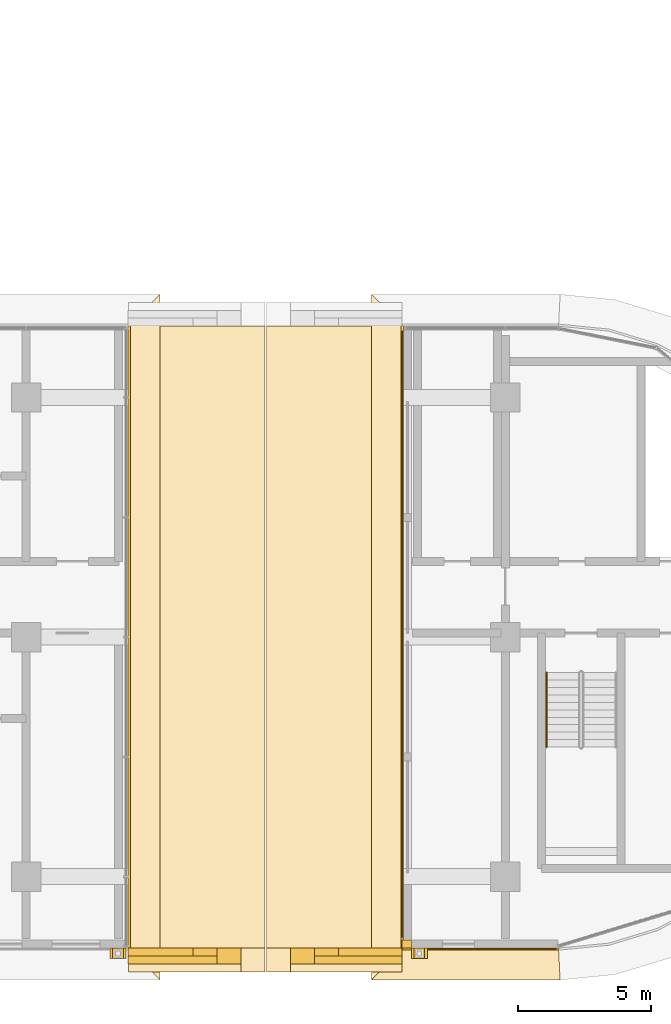
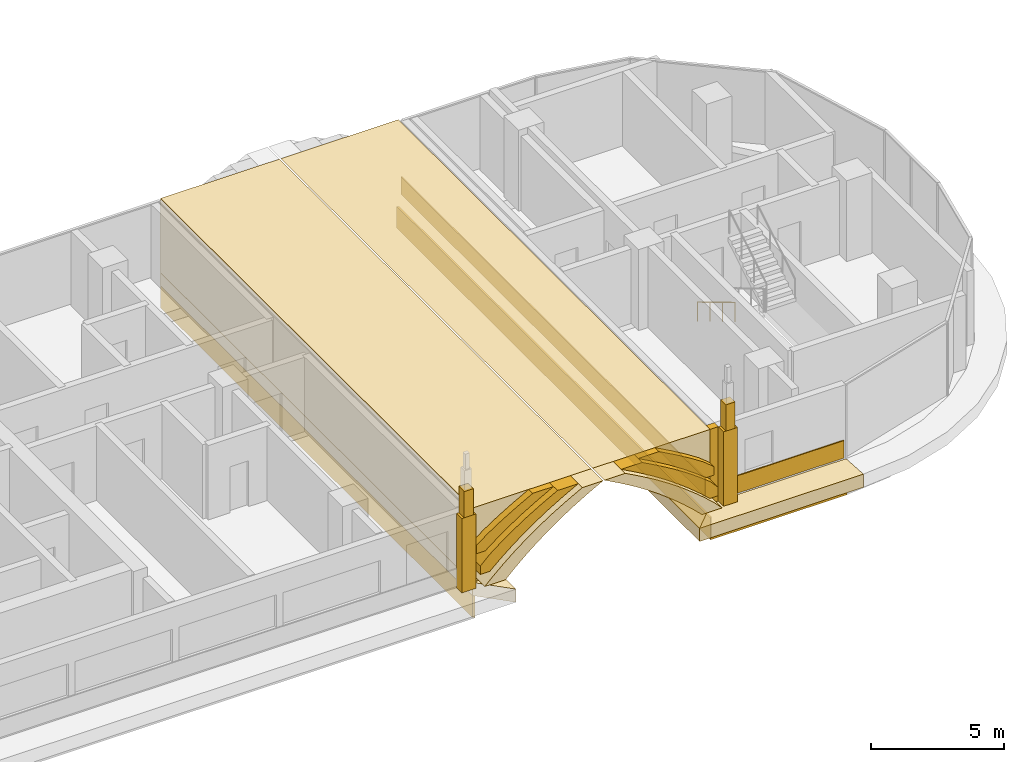
# One storey, part 19 of 23: 21 coverings, 1 railing.
"""IFC4 building model written with IfcOpenShell, lengths in metres."""

import ifcopenshell
import ifcopenshell.guid

model = None  # the IFC model being written
_history = None  # IfcOwnerHistory: only IFC2X3 demands one
_inside = {}  # id of a spatial element -> (the spatial element, [elements in it])
_under = {}  # id of a project, library or spatial element -> (it, [spatial elements below it])
_declared = {}  # id of a project -> (the project, [libraries it declares])
_typed = {}  # id of a type object -> (the type object, [elements of that type])
_made_of = {}  # id of a material, layer set ... -> (it, [elements and type objects made of it])


def new_model(schema):
    """Start an empty IFC model of exactly this schema.

    Asked for "IFC4X3", IfcOpenShell would pick the latest addendum, in which some entities
    have other attributes; the version numbers below select the first issue.
    IFC2X3 requires an IfcOwnerHistory on every rooted entity: one is made here for all.
    """
    global model, _history
    if schema == "IFC4X3":
        model = ifcopenshell.file(schema_version=(4, 3, 0, 0))
    else:
        model = ifcopenshell.file(schema=schema)
    _inside.clear()
    _under.clear()
    _declared.clear()
    _typed.clear()
    _made_of.clear()
    _history = None
    if model.schema == "IFC2X3":
        org = make("IfcOrganization", Name="unknown")
        user = make(
            "IfcPersonAndOrganization",
            ThePerson=make("IfcPerson", FamilyName="unknown"),
            TheOrganization=org,
        )
        app = make(
            "IfcApplication",
            ApplicationDeveloper=org,
            Version="unknown",
            ApplicationFullName="unknown",
            ApplicationIdentifier="unknown",
        )
        _history = make(
            "IfcOwnerHistory",
            OwningUser=user,
            OwningApplication=app,
            ChangeAction="ADDED",
            CreationDate=0,
        )
    return model


def make(cls, **values):
    """One entity of the class cls with the attributes given. An attribute that is None is left unset."""
    return model.create_entity(
        cls, **{name: value for name, value in values.items() if value is not None}
    )


def rooted(cls, **values):
    """An entity with a GlobalId (a new one), such as an element, a storey or a relation."""
    return make(cls, GlobalId=ifcopenshell.guid.new(), OwnerHistory=_history, **values)


def si_unit(unit_type, name, prefix=None):
    """IfcSIUnit, for example si_unit("LENGTHUNIT", "METRE", prefix="MILLI")."""
    return make("IfcSIUnit", UnitType=unit_type, Prefix=prefix, Name=name)


def assignment(units):
    """IfcUnitAssignment: the units of a project."""
    return None if units is None else make("IfcUnitAssignment", Units=units)


def point(xyz):
    """IfcCartesianPoint."""
    return None if xyz is None else make("IfcCartesianPoint", Coordinates=xyz)


def direction(xyz):
    """IfcDirection."""
    return None if xyz is None else make("IfcDirection", DirectionRatios=xyz)


def frame(location, z_axis=None, x_axis=None):
    """IfcAxis2Placement3D, a coordinate frame: its origin and axes. An axis left out is left unset."""
    return make(
        "IfcAxis2Placement3D",
        Location=point(location),
        Axis=direction(z_axis),
        RefDirection=direction(x_axis),
    )


def frame_2d(location, x_axis=None):
    """IfcAxis2Placement2D, a coordinate frame in the plane: its origin and x axis."""
    return make(
        "IfcAxis2Placement2D", Location=point(location), RefDirection=direction(x_axis)
    )


def origin():
    """The frame at (0, 0, 0) with its axes left unset."""
    return frame((0.0, 0.0, 0.0))


def origin_2d():
    """The frame at (0, 0) in the plane with its x axis left unset."""
    return frame_2d((0.0, 0.0))


def place(relative_to, where):
    """IfcLocalPlacement: puts the frame where relative to a parent placement (None: the world)."""
    return make(
        "IfcLocalPlacement", PlacementRelTo=relative_to, RelativePlacement=where
    )


def context(
    kind, dimensions, precision=None, world=None, true_north=None, identifier=None
):
    """IfcGeometricRepresentationContext, for example the 3D "Model" context."""
    return make(
        "IfcGeometricRepresentationContext",
        ContextIdentifier=identifier,
        ContextType=kind,
        CoordinateSpaceDimension=dimensions,
        Precision=precision,
        WorldCoordinateSystem=world,
        TrueNorth=true_north,
    )


def subcontext(parent, identifier, kind, view, scale=None):
    """IfcGeometricRepresentationSubContext, for example "Body" below "Model"."""
    return make(
        "IfcGeometricRepresentationSubContext",
        ContextIdentifier=identifier,
        ContextType=kind,
        ParentContext=parent,
        TargetScale=scale,
        TargetView=view,
    )


def project(units=None, contexts=None):
    """IfcProject with its units and contexts."""
    return rooted(
        "IfcProject",
        Name="project",
        RepresentationContexts=contexts,
        UnitsInContext=assignment(units),
    )


def spatial(cls, under=None, at=None, **own):
    """A site, building, storey or space (cls), placed at a placement, below another one or the project."""
    s = rooted(cls, ObjectPlacement=at, **own)
    if under is not None:
        _under.setdefault(under.id(), (under, []))[1].append(s)
    return s


def polyline(points):
    """IfcPolyline through the points."""
    return make("IfcPolyline", Points=[point(p) for p in points])


def profile(cls, at=None, kind="AREA", **sizes):
    """A parametric profile (cls). Its sizes go by their IFC names, for example OverallWidth=200.0."""
    return make(cls, ProfileType=kind, Position=at, **sizes)


def rectangle(**sizes):
    """IfcRectangleProfileDef."""
    return profile("IfcRectangleProfileDef", **sizes)


def circle(**sizes):
    """IfcCircleProfileDef."""
    return profile("IfcCircleProfileDef", **sizes)


def outline(outer, holes=None, kind="AREA"):
    """IfcArbitraryClosedProfileDef: a profile drawn as a closed curve; with holes, ...WithVoids."""
    if holes is None:
        return make("IfcArbitraryClosedProfileDef", ProfileType=kind, OuterCurve=outer)
    return make(
        "IfcArbitraryProfileDefWithVoids",
        ProfileType=kind,
        OuterCurve=outer,
        InnerCurves=holes,
    )


def extrude(swept, where, along, depth):
    """IfcExtrudedAreaSolid: the profile swept, set in the frame where, extruded along a direction by depth."""
    return make(
        "IfcExtrudedAreaSolid",
        SweptArea=swept,
        Position=where,
        ExtrudedDirection=direction(along),
        Depth=depth,
    )


def shape(context_of_items, identifier, shape_type, items):
    """IfcShapeRepresentation: the items that make up one representation, for example the "Body"."""
    return make(
        "IfcShapeRepresentation",
        ContextOfItems=context_of_items,
        RepresentationIdentifier=identifier,
        RepresentationType=shape_type,
        Items=items,
    )


def material(Name=None, Category=None):
    """IfcMaterial."""
    return make("IfcMaterial", Name=Name, Category=Category)


def layer(
    of_material, thickness, ventilated=None, Name=None, Category=None, Priority=None
):
    """IfcMaterialLayer: one layer of a wall or slab, of a material (None: an air gap)."""
    return make(
        "IfcMaterialLayer",
        Material=of_material,
        LayerThickness=thickness,
        IsVentilated=ventilated,
        Name=Name,
        Category=Category,
        Priority=Priority,
    )


def layer_set(layers, Name=None):
    """IfcMaterialLayerSet."""
    return make("IfcMaterialLayerSet", MaterialLayers=layers, LayerSetName=Name)


def made_of(thing, what):
    """Note that an element or type object is made of a material, layer set ...; save() writes the relation."""
    if what is not None:
        _made_of.setdefault(what.id(), (what, []))[1].append(thing)
    return thing


def type_object(cls, material=None, **own):
    """A type object (cls), such as IfcWallType, which elements share."""
    return made_of(rooted(cls, **own), material)


def element(
    cls,
    number,
    at=None,
    inside=None,
    cuts=None,
    type_object=None,
    material=None,
    context=None,
    identifier="Body",
    shape_type=None,
    held_by="IfcProductDefinitionShape",
    body=None,
    shapes=None,
    **own,
):
    """One element of the class cls, such as IfcWall. Its Tag is "e" and its number.

    at: its placement. inside: the storey or other place that contains it. cuts: it is an
    opening in that element (IfcRelVoidsElement). A single representation is given by context,
    identifier, shape_type and body (its items); several are given by shapes. held_by: the class
    of the entity that holds the representations. save() writes the other relations.
    """
    e = rooted(cls, Tag="e%d" % number, ObjectPlacement=at, **own)
    if body is not None:
        shapes = [shape(context, identifier, shape_type, body)]
    if shapes is not None:
        e.Representation = make(held_by, Representations=shapes)
    if inside is not None:
        _inside.setdefault(inside.id(), (inside, []))[1].append(e)
    if cuts is not None:
        rooted(
            "IfcRelVoidsElement", RelatingBuildingElement=cuts, RelatedOpeningElement=e
        )
    if type_object is not None:
        _typed.setdefault(type_object.id(), (type_object, []))[1].append(e)
    return made_of(e, material)


def aggregate(whole, parts):
    """IfcRelAggregates: a whole, such as a stair, and the parts it consists of."""
    return rooted("IfcRelAggregates", RelatingObject=whole, RelatedObjects=parts)


def save(model, path):
    """Write the relations noted so far, then the file.

    IfcRelAggregates (storeys below a building ...), IfcRelContainedInSpatialStructure (elements
    in a storey), IfcRelDefinesByType, IfcRelAssociatesMaterial and IfcRelDeclares: one each for
    every whole, place, type object, material and project.
    """
    for whole, parts in _under.values():
        aggregate(whole, parts)
    for where, things in _inside.values():
        rooted(
            "IfcRelContainedInSpatialStructure",
            RelatedElements=things,
            RelatingStructure=where,
        )
    for kind, things in _typed.values():
        rooted("IfcRelDefinesByType", RelatedObjects=things, RelatingType=kind)
    for what, things in _made_of.values():
        rooted("IfcRelAssociatesMaterial", RelatedObjects=things, RelatingMaterial=what)
    for by, libraries in _declared.values():
        rooted("IfcRelDeclares", RelatingContext=by, RelatedDefinitions=libraries)
    model.write(path)


model = new_model("IFC4")

# Units and contexts
model_context = context("Model", 3, precision=1e-05, world=origin(), true_north=direction((0.0, 1.0)))
body_context = subcontext(model_context, "Body", "Model", "MODEL_VIEW")
ifc_project = project(units=[si_unit("LENGTHUNIT", "METRE"), si_unit("AREAUNIT", "SQUARE_METRE"), si_unit("VOLUMEUNIT", "CUBIC_METRE"), si_unit("PLANEANGLEUNIT", "RADIAN"), si_unit("MASSUNIT", "GRAM", prefix="KILO")], contexts=[model_context])

# Site, building, storey
site_placement = place(None, origin())
site = spatial("IfcSite", under=ifc_project, at=site_placement, CompositionType="ELEMENT")
building_placement = place(site_placement, origin())
building = spatial("IfcBuilding", under=site, at=building_placement, Name="Ogive Portal Towers", CompositionType="ELEMENT")
storey_placement = place(building_placement, frame((0.0, 0.0, 179.199951171875)))
storey = spatial("IfcBuildingStorey", under=building, at=storey_placement, Name="L44", CompositionType="ELEMENT", Elevation=179.199951171875)

# Railing
ifc_material_1 = material(Name="Stainless steel handrail", Category="steel")
railing_type = type_object("IfcRailingType", Name="INT-HANDRAIL", PredefinedType="HANDRAIL", material=ifc_material_1)
railing_placement = place(storey_placement, frame((87.050048828125, 29.169921875, 0.168212890625)))
element("IfcRailing", 1, at=railing_placement, inside=storey, type_object=railing_type, Name="L44 ST-A4 stair handrail 1", PredefinedType="HANDRAIL", context=body_context, shape_type="SweptSolid", body=[
    extrude(circle(Radius=0.02392578125, at=origin_2d()), frame((0.0, 0.0, 0.8759765625), z_axis=(0.0, -0.857222391501, 0.514946377315), x_axis=(1.0, 0.0, 0.0)), (0.0, 0.0, 1.0), 3.26611328125),
    extrude(circle(Radius=0.02099609375, at=origin_2d()), origin(), (0.0, 0.0, 1.0), 0.851806640625),
    extrude(circle(Radius=0.02099609375, at=origin_2d()), frame((0.0, -0.933349609375, 0.560546875)), (0.0, 0.0, 1.0), 0.851806640625),
    extrude(circle(Radius=0.02099609375, at=origin_2d()), frame((0.0, -1.866455078125, 1.121337890625)), (0.0, 0.0, 1.0), 0.851806640625),
    extrude(circle(Radius=0.02099609375, at=origin_2d()), frame((0.0, -2.7998046875, 1.681884765625)), (0.0, 0.0, 1.0), 0.851806640625),
])

# Coverings
ifc_material_2 = material(Name="Limestone cladding on lightweight block wall", Category="masonry")
ifc_layer_1 = layer(ifc_material_2, 0.300048828125)
ifc_layer_set_1 = layer_set([ifc_layer_1], Name="OGIVE SOFFIT STONE")
covering_type_1 = type_object("IfcCoveringType", Name="OGIVE SOFFIT STONE", PredefinedType="CLADDING", material=ifc_layer_set_1)
covering_1_placement = place(storey_placement, frame((71.330078125, 18.820068359375, 0.0), z_axis=(0.0, -1.0, 0.0), x_axis=(1.0, 0.0, 0.0)))
element("IfcCovering", 2, at=covering_1_placement, inside=storey, type_object=covering_type_1, Name="OGIVE SOFFIT W L44", PredefinedType="CLADDING", context=body_context, shape_type="SweptSolid", body=[
    extrude(outline(polyline([(0.0, 0.0), (0.57763671875, 0.0), (0.993408203125, 0.425048828125), (1.44140625, 0.85009765625), (1.926025390625, 1.275146484375), (2.45263671875, 1.699951171875), (3.02783203125, 2.125), (3.662109375, 2.550048828125), (4.368896484375, 2.97509765625), (5.139892578125, 3.400146484375), (0.0, 3.400146484375), (0.0, 0.0)])), origin(), (0.0, 0.0, -1.0), 23.360107421875),
])
covering_2_placement = place(storey_placement, frame((81.6201171875, 42.179931640625, 0.0), z_axis=(0.0, 1.0, 0.0), x_axis=(-1.0, 0.0, 0.0)))
element("IfcCovering", 3, at=covering_2_placement, inside=storey, type_object=covering_type_1, Name="OGIVE SOFFIT E L44", PredefinedType="CLADDING", context=body_context, shape_type="SweptSolid", body=[
    extrude(outline(polyline([(0.0, 0.0), (0.52783203125, 0.0), (0.943603515625, 0.425048828125), (1.3916015625, 0.85009765625), (1.876220703125, 1.275146484375), (2.40283203125, 1.699951171875), (2.97802734375, 2.125), (3.6123046875, 2.550048828125), (4.319091796875, 2.97509765625), (5.090087890625, 3.400146484375), (0.0, 3.400146484375), (0.0, 0.0)])), origin(), (0.0, 0.0, -1.0), 23.360107421875),
])
covering_3_placement = place(storey_placement, frame((81.794921875, 18.969970703125, 0.0), z_axis=(0.0, 0.0, 1.0), x_axis=(1.0, 0.0, 0.0)))
element("IfcCovering", 4, at=covering_3_placement, inside=storey, type_object=covering_type_1, Name="OGIVE SOFFIT RETURN E L44", PredefinedType="CLADDING", context=body_context, shape_type="SweptSolid", body=[
    extrude(rectangle(XDim=0.35009765625, YDim=0.300048828125, at=origin_2d()), origin(), (0.0, 0.0, 1.0), 3.39990234375),
])
ifc_layer_2 = layer(ifc_material_2, 0.39990234375)
ifc_layer_set_2 = layer_set([ifc_layer_2], Name="PINNACLE SHAFT STONE")
covering_type_2 = type_object("IfcCoveringType", Name="PINNACLE SHAFT STONE", PredefinedType="CLADDING", material=ifc_layer_set_2)
for number, where, z_axis, x_axis, name in (
    (5, (70.949951171875, 18.6201171875, 3.39990234375), (0.0, 0.0, 1.0), (1.0, 0.0, 0.0), "PINNACLE"),
    (6, (82.27001953125, 18.6201171875, 3.39990234375), (0.0, 0.0, 1.0), (1.0, 0.0, 0.0), "PINNACLE"),
):
    element("IfcCovering", number, at=place(storey_placement, frame(where, z_axis=z_axis, x_axis=x_axis)), inside=storey, type_object=covering_type_2, Name=name, PredefinedType="CLADDING", context=body_context, shape_type="SweptSolid", body=[
        extrude(rectangle(XDim=0.39990234375, YDim=0.39990234375, at=origin_2d()), origin(), (0.0, 0.0, 1.0), 1.199951171875),
    ])
ifc_layer_3 = layer(ifc_material_2, 0.60009765625)
ifc_layer_set_3 = layer_set([ifc_layer_3], Name="PORTAL ARCHIVOLT STONE")
covering_type_3 = type_object("IfcCoveringType", Name="PORTAL ARCHIVOLT STONE", PredefinedType="CLADDING", material=ifc_layer_set_3)
covering_4_placement = place(storey_placement, frame((80.752197265625, 18.820068359375, 0.35009765625), z_axis=(0.0, 1.0, 0.0), x_axis=(-0.719669649344, 0.0, 0.694316639447)))
element("IfcCovering", 7, at=covering_4_placement, inside=storey, type_object=covering_type_3, Name="PORTAL ARCHIVOLT E L44", PredefinedType="CLADDING", context=body_context, shape_type="SweptSolid", body=[
    extrude(outline(polyline([(0.0, 0.0), (0.5488900797889359, 0.0), (1.1183309398423564, -0.01948756360511228), (1.7106190673334216, -0.06135675548584385), (2.3292560948224543, -0.1283073706156721), (2.978289325762776, -0.22458337115184301), (3.6631716683915827, -0.355784806438022), (4.392500072610742, -0.5295272874984616), (5.156265794034831, -0.7364939046262022), (4.5086333898645945, -0.11167673348297624), (3.744867668440506, 0.0952898836447642), (3.015539264221346, 0.26903236470520353), (2.330481220994555, 0.4004033108896853), (1.6814479900542336, 0.496679311425856), (1.062810962565201, 0.5636299265556843), (0.47069853567212006, 0.6053296075381134), (-0.09874232438130054, 0.6248171711432257), (-0.6246156258342893, 0.6026112434655907), (0.0, 0.0)])), origin(), (0.0, 0.0, -1.0), 0.89990234375),
])
covering_5_placement = place(storey_placement, frame((81.257080078125, 18.820068359375, 0.731201171875), z_axis=(0.0, 1.0, 0.0), x_axis=(-0.742995788858, 0.0, 0.669296091232)))
element("IfcCovering", 8, at=covering_5_placement, inside=storey, type_object=covering_type_3, Name="PORTAL ARCHIVOLT E L44", PredefinedType="CLADDING", context=body_context, shape_type="SweptSolid", body=[
    extrude(outline(polyline([(0.0, 0.0), (0.5697742168909037, 0.0), (1.1629664407301357, -0.021423703039319175), (1.7835313853750274, -0.067176365525899), (2.4354777439536335, -0.1411976373345445), (3.12462816415665, -0.24906119200029453), (3.859472246248015, -0.39775734508167915), (4.629869837767171, -0.5784803619036694), (3.961064790520907, 0.023984161624972744), (3.1908485944580143, 0.20454377608093965), (2.4560045123666496, 0.35323992916232405), (1.766854092163633, 0.4611034838280743), (1.114907733585027, 0.5351247556367197), (0.49434278894013517, 0.5808774181232994), (-0.014500547736223668, 0.5263190209616915), (-0.26973504346492966, 0.24297931827694355), (0.0, 0.0)])), origin(), (0.0, 0.0, -1.0), 0.60009765625),
])
covering_6_placement = place(storey_placement, frame((81.278564453125, 18.820068359375, 1.49365234375), z_axis=(0.0, 1.0, 0.0), x_axis=(-0.790196535031, 0.0, 0.612853519224)))
element("IfcCovering", 9, at=covering_6_placement, inside=storey, type_object=covering_type_3, Name="PORTAL ARCHIVOLT E L44", PredefinedType="CLADDING", context=body_context, shape_type="SweptSolid", body=[
    extrude(outline(polyline([(0.0, 0.0), (0.6222492721142617, 0.0), (1.2778735443653138, -0.02588468233051955), (1.973089523817801, -0.08278450662765091), (2.7168778137712413, -0.1770466445942831), (3.4982853235320466, -0.300485158598206), (2.7871856096348844, 0.2510231597271999), (2.005585180798144, 0.3746112961723397), (1.2617968908447037, 0.46887343413897187), (0.5665809113922163, 0.5257732584361032), (-0.03618353405258978, 0.5106613918731987), (-0.2698937872333505, 0.2093217952624099), (0.0, 0.0)])), origin(), (0.0, 0.0, -1.0), 0.300048828125),
])
covering_7_placement = place(storey_placement, frame((72.247802734375, 17.919921875, 0.35009765625), z_axis=(0.0, -1.0, 0.0), x_axis=(0.719669649344, 0.0, 0.694316639447)))
element("IfcCovering", 10, at=covering_7_placement, inside=storey, type_object=covering_type_3, Name="PORTAL ARCHIVOLT W L44", PredefinedType="CLADDING", context=body_context, shape_type="SweptSolid", body=[
    extrude(outline(polyline([(0.0, 0.0), (0.5488900797889359, 0.0), (1.1183309398423564, -0.01948756360511228), (1.7106190673334216, -0.06135675548584385), (2.3292560948224543, -0.1283073706156721), (2.978289325762776, -0.22458337115184301), (3.6631716683915827, -0.355784806438022), (4.392500072610742, -0.5295272874984616), (5.156265794034831, -0.7364939046262022), (4.5086333898645945, -0.11167673348297624), (3.744867668440506, 0.0952898836447642), (3.015539264221346, 0.26903236470520353), (2.330481220994555, 0.4004033108896853), (1.6814479900542336, 0.496679311425856), (1.062810962565201, 0.5636299265556843), (0.47069853567212006, 0.6053296075381134), (-0.09874232438130054, 0.6248171711432257), (-0.6476324041702364, 0.6248171711432257), (0.0, 0.0)])), origin(), (0.0, 0.0, -1.0), 0.89990234375),
])
covering_8_placement = place(storey_placement, frame((71.742919921875, 18.219970703125, 0.731201171875), z_axis=(0.0, -1.0, 0.0), x_axis=(0.742995788858, 0.0, 0.669296091232)))
element("IfcCovering", 11, at=covering_8_placement, inside=storey, type_object=covering_type_3, Name="PORTAL ARCHIVOLT W L44", PredefinedType="CLADDING", context=body_context, shape_type="SweptSolid", body=[
    extrude(outline(polyline([(0.0, 0.0), (0.5697742168909037, 0.0), (1.1629664407301357, -0.021423703039319175), (1.7835313853750274, -0.067176365525899), (2.4354777439536335, -0.1411976373345445), (3.12462816415665, -0.24906119200029453), (3.859472246248015, -0.39775734508167915), (4.629869837767171, -0.5784803619036694), (3.961064790520907, 0.023984161624972744), (3.1908485944580143, 0.20454377608093965), (2.4560045123666496, 0.35323992916232405), (1.766854092163633, 0.4611034838280743), (1.114907733585027, 0.5351247556367197), (0.49434278894013517, 0.5808774181232994), (-0.05150522081412928, 0.5596531036304853), (-0.3067397165428353, 0.2763134009457374), (0.0, 0.0)])), origin(), (0.0, 0.0, -1.0), 0.60009765625),
])
covering_9_placement = place(storey_placement, frame((71.721435546875, 18.52001953125, 1.49365234375), z_axis=(0.0, -1.0, 0.0), x_axis=(0.790196535031, 0.0, 0.612853519224)))
element("IfcCovering", 12, at=covering_9_placement, inside=storey, type_object=covering_type_3, Name="PORTAL ARCHIVOLT W L44", PredefinedType="CLADDING", context=body_context, shape_type="SweptSolid", body=[
    extrude(outline(polyline([(0.0, 0.0), (0.6222492721142617, 0.0), (1.2778735443653138, -0.02588468233051955), (1.973089523817801, -0.08278450662765091), (2.7168778137712413, -0.1770466445942831), (3.4982853235320466, -0.300485158598206), (2.7871856096348844, 0.2510231597271999), (2.005585180798144, 0.3746112961723397), (1.2617968908447037, 0.46887343413897187), (0.5665809113922163, 0.5257732584361032), (-0.07553902554337144, 0.5411843698814415), (-0.30924927872413216, 0.23984477327065265), (0.0, 0.0)])), origin(), (0.0, 0.0, -1.0), 0.300048828125),
])
ifc_layer_4 = layer(ifc_material_2, 0.39990234375)
ifc_layer_set_4 = layer_set([ifc_layer_4], Name="PORTAL BUTTRESS STONE")
covering_type_4 = type_object("IfcCoveringType", Name="PORTAL BUTTRESS STONE", PredefinedType="CLADDING", material=ifc_layer_set_4)
for number, where, z_axis, x_axis, name in (
    (13, (70.949951171875, 18.6201171875, 0.0), (0.0, 0.0, 1.0), (1.0, 0.0, 0.0), "PORTAL BUTTRESS"),
    (14, (82.27001953125, 18.6201171875, 0.0), (0.0, 0.0, 1.0), (1.0, 0.0, 0.0), "PORTAL BUTTRESS"),
):
    element("IfcCovering", number, at=place(storey_placement, frame(where, z_axis=z_axis, x_axis=x_axis)), inside=storey, type_object=covering_type_4, Name=name, PredefinedType="CLADDING", context=body_context, shape_type="SweptSolid", body=[
        extrude(rectangle(XDim=0.60009765625, YDim=0.39990234375, at=origin_2d()), origin(), (0.0, 0.0, 1.0), 3.39990234375),
    ])
ifc_layer_5 = layer(ifc_material_2, 0.050048828125)
ifc_layer_set_5 = layer_set([ifc_layer_5], Name="SCREEN PERFORATED STONE")
covering_type_5 = type_object("IfcCoveringType", Name="SCREEN PERFORATED STONE", PredefinedType="CLADDING", material=ifc_layer_set_5)
covering_10_placement = place(storey_placement, frame((81.64501953125, 30.610107421875, 0.10009765625), z_axis=(0.0, 0.0, 1.0), x_axis=(0.0, -1.0, 0.0)))
element("IfcCovering", 15, at=covering_10_placement, inside=storey, type_object=covering_type_5, Name="Tracery screen", PredefinedType="CLADDING", context=body_context, shape_type="SweptSolid", body=[
    extrude(rectangle(XDim=22.780029296875, YDim=0.050048828125, at=origin_2d()), origin(), (0.0, 0.0, 1.0), 0.800048828125),
])
covering_11_placement = place(storey_placement, frame((84.72900390625, 18.794921875, 0.10009765625), z_axis=(0.0, 0.0, 1.0), x_axis=(1.0, 0.0, 0.0)))
element("IfcCovering", 16, at=covering_11_placement, inside=storey, type_object=covering_type_5, Name="Tracery screen", PredefinedType="CLADDING", context=body_context, shape_type="SweptSolid", body=[
    extrude(rectangle(XDim=5.318115234375, YDim=0.050048828125, at=origin_2d()), origin(), (0.0, 0.0, 1.0), 0.800048828125),
])
ifc_layer_6 = layer(ifc_material_2, 0.080078125)
ifc_layer_set_6 = layer_set([ifc_layer_6], Name="STONE SPANDREL 80")
covering_type_6 = type_object("IfcCoveringType", Name="STONE SPANDREL 80", PredefinedType="CLADDING", material=ifc_layer_set_6)
covering_12_placement = place(storey_placement, frame((0.0, 0.0, -1.599853515625)))
element("IfcCovering", 17, at=covering_12_placement, inside=storey, type_object=covering_type_6, Name="Stone spandrel A1-F06", PredefinedType="CLADDING", context=body_context, shape_type="SweptSolid", body=[
    extrude(outline(polyline([(71.330078125, 18.820068359375), (71.330078125, 42.179931640625), (71.409912109375, 42.260009765625), (71.409912109375, 18.739990234375), (71.330078125, 18.820068359375)])), origin(), (0.0, 0.0, 1.0), 1.0),
])
covering_13_placement = place(storey_placement, frame((0.0, 0.0, -1.599853515625)))
element("IfcCovering", 18, at=covering_13_placement, inside=storey, type_object=covering_type_6, Name="Stone spandrel A2-F05", PredefinedType="CLADDING", context=body_context, shape_type="SweptSolid", body=[
    extrude(outline(polyline([(81.669921875, 42.179931640625), (81.669921875, 18.820068359375), (81.590087890625, 18.739990234375), (81.590087890625, 42.260009765625), (81.669921875, 42.179931640625)])), origin(), (0.0, 0.0, 1.0), 1.0),
])
covering_14_placement = place(storey_placement, frame((0.0, 0.0, -1.599853515625)))
element("IfcCovering", 19, at=covering_14_placement, inside=storey, type_object=covering_type_6, Name="Stone spandrel A2-F06", PredefinedType="CLADDING", context=body_context, shape_type="SweptSolid", body=[
    extrude(outline(polyline([(81.669921875, 18.820068359375), (87.5, 18.820068359375), (87.50390625, 18.739990234375), (81.590087890625, 18.739990234375), (81.669921875, 18.820068359375)])), origin(), (0.0, 0.0, 1.0), 1.0),
])
ifc_layer_7 = layer(ifc_material_2, 0.60009765625)
ifc_layer_set_7 = layer_set([ifc_layer_7], Name="SUNSHADE LIP 600")
covering_type_7 = type_object("IfcCoveringType", Name="SUNSHADE LIP 600", PredefinedType="CLADDING", material=ifc_layer_set_7)
covering_15_placement = place(storey_placement, frame((0.0, 0.0, -0.599853515625)))
element("IfcCovering", 20, at=covering_15_placement, inside=storey, type_object=covering_type_7, Name="Sunshade lip A1-F06", PredefinedType="CLADDING", context=body_context, shape_type="SweptSolid", body=[
    extrude(outline(polyline([(71.330078125, 18.820068359375), (71.330078125, 42.179931640625), (72.530029296875, 43.3798828125), (72.530029296875, 17.6201171875), (71.330078125, 18.820068359375)])), origin(), (0.0, 0.0, 1.0), 0.599853515625),
])
covering_16_placement = place(storey_placement, frame((0.0, 0.0, -0.599853515625)))
element("IfcCovering", 21, at=covering_16_placement, inside=storey, type_object=covering_type_7, Name="Sunshade lip A2-F05", PredefinedType="CLADDING", context=body_context, shape_type="SweptSolid", body=[
    extrude(outline(polyline([(81.669921875, 42.179931640625), (81.669921875, 18.820068359375), (80.469970703125, 17.6201171875), (80.469970703125, 43.3798828125), (81.669921875, 42.179931640625)])), origin(), (0.0, 0.0, 1.0), 0.599853515625),
])
covering_17_placement = place(storey_placement, frame((0.0, 0.0, -0.599853515625)))
element("IfcCovering", 22, at=covering_17_placement, inside=storey, type_object=covering_type_7, Name="Sunshade lip A2-F06", PredefinedType="CLADDING", context=body_context, shape_type="SweptSolid", body=[
    extrude(outline(polyline([(81.669921875, 18.820068359375), (87.5, 18.820068359375), (87.558837890625, 17.6201171875), (80.469970703125, 17.6201171875), (81.669921875, 18.820068359375)])), origin(), (0.0, 0.0, 1.0), 0.599853515625),
])

save(model, "model.ifc")
